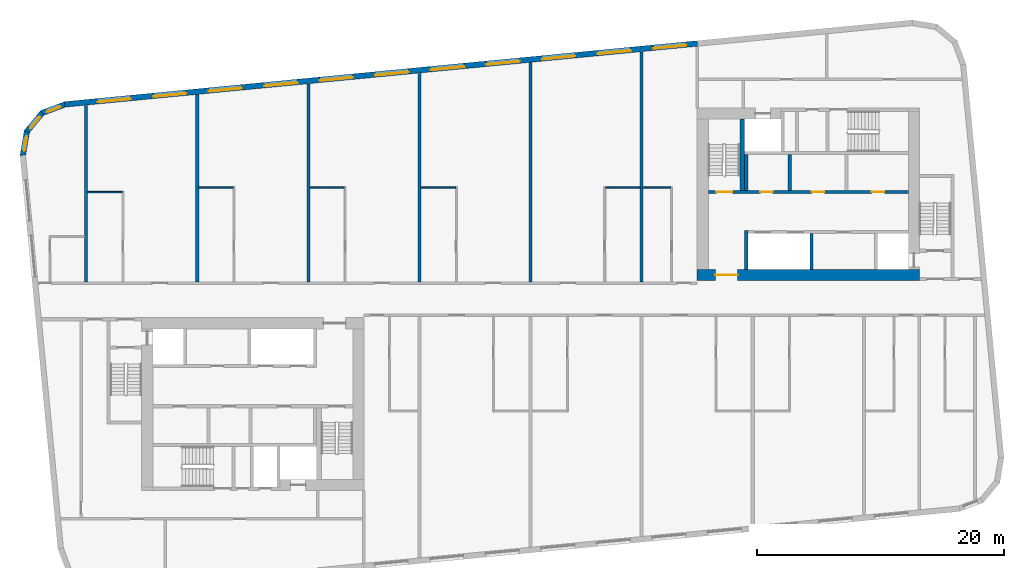
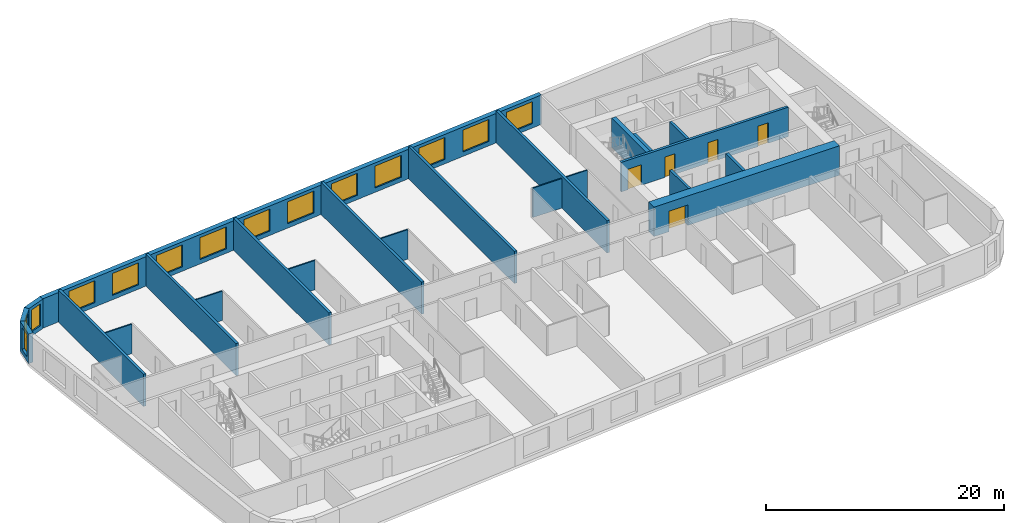
# One storey, part 5 of 11: 23 walls, 14 windows, 5 doors, 19 openings.
"""IFC4 building model written with IfcOpenShell, lengths in metres."""

from ifc_helpers import new_model, si_unit, direction, frame, frame_2d, origin, place, context, subcontext, project, spatial, polyline, rectangle, outline, extrude, material, layer, layer_set, type_object, element, fill, save


model = new_model("IFC4")

# Units and contexts
model_context = context("Model", 3, precision=1e-05, world=origin(), true_north=direction((0.0, 1.0)))
body_context = subcontext(model_context, "Body", "Model", "MODEL_VIEW")
ifc_project = project(units=[si_unit("LENGTHUNIT", "METRE"), si_unit("AREAUNIT", "SQUARE_METRE"), si_unit("VOLUMEUNIT", "CUBIC_METRE"), si_unit("PLANEANGLEUNIT", "RADIAN"), si_unit("MASSUNIT", "GRAM", prefix="KILO")], contexts=[model_context])

# Site, building, storey
site_placement = place(None, origin())
site = spatial("IfcSite", under=ifc_project, at=site_placement, CompositionType="ELEMENT")
building_placement = place(site_placement, origin())
building = spatial("IfcBuilding", under=site, at=building_placement, Name="Kajstack Hotel Tower", CompositionType="ELEMENT")
storey_placement = place(building_placement, frame((0.0, 0.0, 271.800048828125)))
storey = spatial("IfcBuildingStorey", under=building, at=storey_placement, Name="L67", CompositionType="ELEMENT", Elevation=271.800048828125)

# Wall, opening, door
ifc_material_1 = material(Name="Concrete C60/75", Category="concrete")
ifc_layer_1 = layer(ifc_material_1, 0.89990234375)
ifc_layer_set_1 = layer_set([ifc_layer_1], Name="Core wall 900")
wall_type_1 = type_object("IfcWallType", Name="Core wall 900", PredefinedType="SHEAR", material=ifc_layer_set_1)
wall_1_placement = place(storey_placement, frame((13.5, 1.949951171875, 0.0), z_axis=(0.0, 0.0, 1.0), x_axis=(1.0, 0.0, 0.0)))
wall_1 = element("IfcWall", 1, at=wall_1_placement, inside=storey, type_object=wall_type_1, Name="Core wall E RN", PredefinedType="SHEAR", context=body_context, shape_type="SweptSolid", body=[
    extrude(rectangle(XDim=18.0, YDim=0.89990234375, at=frame_2d((9.0, 0.0))), origin(), (0.0, 0.0, 1.0), 3.02001953125),
])
opening_1_placement = place(wall_1_placement, frame((1.47509765625, 0.0, 0.0)))
opening_1 = element("IfcOpeningElement", 2, at=opening_1_placement, cuts=wall_1, Name="Opening 67E05", PredefinedType="OPENING", context=body_context, shape_type="SweptSolid", body=[
    extrude(rectangle(XDim=1.800048828125, YDim=2.10009765625, at=frame_2d((0.89990234375, 1.050048828125))), frame((0.0, 0.4599609375, 0.0), z_axis=(0.0, -1.0, 0.0), x_axis=(1.0, 0.0, 0.0)), (0.0, 0.0, 1.0), 0.919921875),
])
ifc_material_2 = material(Name="Glazed steel frame, fire-rated glass", Category="steel")
door_type_1 = type_object("IfcDoorType", Name="Lobby double door 1800", OperationType="DOUBLE_DOOR_DOUBLE_SWING", PredefinedType="DOOR", material=ifc_material_2)
door_1_placement = place(opening_1_placement, origin())
door_1 = element("IfcDoor", 3, at=door_1_placement, inside=storey, type_object=door_type_1, Name="Door 67E05", OperationType="DOUBLE_DOOR_DOUBLE_SWING", OverallHeight=2.10009765625, OverallWidth=1.800048828125, PredefinedType="DOOR", context=body_context, shape_type="SweptSolid", body=[
    extrude(rectangle(XDim=1.800048828125, YDim=2.10009765625, at=frame_2d((0.89990234375, 1.050048828125))), frame((0.0, 0.02490234375, 0.0), z_axis=(0.0, -1.0, 0.0), x_axis=(1.0, 0.0, 0.0)), (0.0, 0.0, 1.0), 0.050048828125),
])
fill(opening_1, door_1)

# Wall, openings, windows
ifc_material_3 = material(Name="Terracotta-faced brick masonry", Category="masonry")
ifc_layer_2 = layer(ifc_material_3, 0.449951171875)
ifc_layer_set_2 = layer_set([ifc_layer_2], Name="EW-TERRA")
wall_type_2 = type_object("IfcWallType", Name="EW-TERRA", PredefinedType="SOLIDWALL", material=ifc_layer_set_2)
wall_2_placement = place(storey_placement, frame((13.521484375, 20.712890625, 0.0), z_axis=(0.0, 0.0, 1.0), x_axis=(-0.995396277313, -0.095844932638, 0.0)))
wall_2 = element("IfcWall", 4, at=wall_2_placement, inside=storey, type_object=wall_type_2, Name="E-wall-L67-12-01", PredefinedType="SOLIDWALL", context=body_context, shape_type="SweptSolid", body=[
    extrude(rectangle(XDim=51.4951171875, YDim=0.449951171875, at=frame_2d((25.74755859375, 0.0))), origin(), (0.0, 0.0, 1.0), 3.02001953125),
])
opening_2_placement = place(wall_2_placement, frame((0.910400390625, 0.0, 0.449951171875)))
opening_2 = element("IfcOpeningElement", 5, at=opening_2_placement, cuts=wall_2, Name="Opening W1", PredefinedType="OPENING", context=body_context, shape_type="SweptSolid", body=[
    extrude(rectangle(XDim=2.699951171875, YDim=2.25, at=frame_2d((1.35009765625, 1.125))), frame((0.0, 0.23486328125, 0.0), z_axis=(0.0, -1.0, 0.0), x_axis=(1.0, 0.0, 0.0)), (0.0, 0.0, 1.0), 0.469970703125),
])
opening_3_placement = place(wall_2_placement, frame((5.43115234375, 0.0, 0.449951171875)))
opening_3 = element("IfcOpeningElement", 6, at=opening_3_placement, cuts=wall_2, Name="Opening W1", PredefinedType="OPENING", context=body_context, shape_type="SweptSolid", body=[
    extrude(rectangle(XDim=2.699951171875, YDim=2.25, at=frame_2d((1.35009765625, 1.125))), frame((0.0, 0.23486328125, 0.0), z_axis=(0.0, -1.0, 0.0), x_axis=(1.0, 0.0, 0.0)), (0.0, 0.0, 1.0), 0.469970703125),
])
opening_4_placement = place(wall_2_placement, frame((9.951904296875, 0.0, 0.449951171875)))
opening_4 = element("IfcOpeningElement", 7, at=opening_4_placement, cuts=wall_2, Name="Opening W1", PredefinedType="OPENING", context=body_context, shape_type="SweptSolid", body=[
    extrude(rectangle(XDim=2.699951171875, YDim=2.25, at=frame_2d((1.35009765625, 1.125))), frame((0.0, 0.23486328125, 0.0), z_axis=(0.0, -1.0, 0.0), x_axis=(1.0, 0.0, 0.0)), (0.0, 0.0, 1.0), 0.469970703125),
])
opening_5_placement = place(wall_2_placement, frame((14.472900390625, 0.0, 0.449951171875)))
opening_5 = element("IfcOpeningElement", 8, at=opening_5_placement, cuts=wall_2, Name="Opening W1", PredefinedType="OPENING", context=body_context, shape_type="SweptSolid", body=[
    extrude(rectangle(XDim=2.699951171875, YDim=2.25, at=frame_2d((1.35009765625, 1.125))), frame((0.0, 0.23486328125, 0.0), z_axis=(0.0, -1.0, 0.0), x_axis=(1.0, 0.0, 0.0)), (0.0, 0.0, 1.0), 0.469970703125),
])
opening_6_placement = place(wall_2_placement, frame((18.99365234375, 0.0, 0.449951171875)))
opening_6 = element("IfcOpeningElement", 9, at=opening_6_placement, cuts=wall_2, Name="Opening W1", PredefinedType="OPENING", context=body_context, shape_type="SweptSolid", body=[
    extrude(rectangle(XDim=2.699951171875, YDim=2.25, at=frame_2d((1.35009765625, 1.125))), frame((0.0, 0.23486328125, 0.0), z_axis=(0.0, -1.0, 0.0), x_axis=(1.0, 0.0, 0.0)), (0.0, 0.0, 1.0), 0.469970703125),
])
opening_7_placement = place(wall_2_placement, frame((23.514404296875, 0.0, 0.449951171875)))
opening_7 = element("IfcOpeningElement", 10, at=opening_7_placement, cuts=wall_2, Name="Opening W1", PredefinedType="OPENING", context=body_context, shape_type="SweptSolid", body=[
    extrude(rectangle(XDim=2.699951171875, YDim=2.25, at=frame_2d((1.35009765625, 1.125))), frame((0.0, 0.23486328125, 0.0), z_axis=(0.0, -1.0, 0.0), x_axis=(1.0, 0.0, 0.0)), (0.0, 0.0, 1.0), 0.469970703125),
])
opening_8_placement = place(wall_2_placement, frame((28.035400390625, 0.0, 0.449951171875)))
opening_8 = element("IfcOpeningElement", 11, at=opening_8_placement, cuts=wall_2, Name="Opening W1", PredefinedType="OPENING", context=body_context, shape_type="SweptSolid", body=[
    extrude(rectangle(XDim=2.699951171875, YDim=2.25, at=frame_2d((1.35009765625, 1.125))), frame((0.0, 0.23486328125, 0.0), z_axis=(0.0, -1.0, 0.0), x_axis=(1.0, 0.0, 0.0)), (0.0, 0.0, 1.0), 0.469970703125),
])
opening_9_placement = place(wall_2_placement, frame((32.55615234375, 0.0, 0.449951171875)))
opening_9 = element("IfcOpeningElement", 12, at=opening_9_placement, cuts=wall_2, Name="Opening W1", PredefinedType="OPENING", context=body_context, shape_type="SweptSolid", body=[
    extrude(rectangle(XDim=2.699951171875, YDim=2.25, at=frame_2d((1.35009765625, 1.125))), frame((0.0, 0.23486328125, 0.0), z_axis=(0.0, -1.0, 0.0), x_axis=(1.0, 0.0, 0.0)), (0.0, 0.0, 1.0), 0.469970703125),
])
opening_10_placement = place(wall_2_placement, frame((37.076904296875, 0.0, 0.449951171875)))
opening_10 = element("IfcOpeningElement", 13, at=opening_10_placement, cuts=wall_2, Name="Opening W1", PredefinedType="OPENING", context=body_context, shape_type="SweptSolid", body=[
    extrude(rectangle(XDim=2.699951171875, YDim=2.25, at=frame_2d((1.35009765625, 1.125))), frame((0.0, 0.23486328125, 0.0), z_axis=(0.0, -1.0, 0.0), x_axis=(1.0, 0.0, 0.0)), (0.0, 0.0, 1.0), 0.469970703125),
])
opening_11_placement = place(wall_2_placement, frame((41.59765625, 0.0, 0.449951171875)))
opening_11 = element("IfcOpeningElement", 14, at=opening_11_placement, cuts=wall_2, Name="Opening W1", PredefinedType="OPENING", context=body_context, shape_type="SweptSolid", body=[
    extrude(rectangle(XDim=2.699951171875, YDim=2.25, at=frame_2d((1.35009765625, 1.125))), frame((0.0, 0.23486328125, 0.0), z_axis=(0.0, -1.0, 0.0), x_axis=(1.0, 0.0, 0.0)), (0.0, 0.0, 1.0), 0.469970703125),
])
opening_12_placement = place(wall_2_placement, frame((46.118408203125, 0.0, 0.449951171875)))
opening_12 = element("IfcOpeningElement", 15, at=opening_12_placement, cuts=wall_2, Name="Opening W1", PredefinedType="OPENING", context=body_context, shape_type="SweptSolid", body=[
    extrude(rectangle(XDim=2.699951171875, YDim=2.25, at=frame_2d((1.35009765625, 1.125))), frame((0.0, 0.23486328125, 0.0), z_axis=(0.0, -1.0, 0.0), x_axis=(1.0, 0.0, 0.0)), (0.0, 0.0, 1.0), 0.469970703125),
])
ifc_material_4 = material(Name="Timber-aluminium window, triple glazed", Category="wood")
window_type_1 = type_object("IfcWindowType", Name="WG1", PartitioningType="SINGLE_PANEL", PredefinedType="WINDOW", material=ifc_material_4)
window_1_placement = place(opening_2_placement, origin())
window_1 = element("IfcWindow", 16, at=window_1_placement, inside=storey, type_object=window_type_1, Name="Window W1 L67-12", OverallHeight=2.25, OverallWidth=2.699951171875, PartitioningType="SINGLE_PANEL", PredefinedType="WINDOW", context=body_context, shape_type="SweptSolid", body=[
    extrude(rectangle(XDim=2.699951171875, YDim=2.25, at=frame_2d((1.35009765625, 1.125))), frame((0.0, 0.090087890625, 0.0), z_axis=(0.0, -1.0, 0.0), x_axis=(1.0, 0.0, 0.0)), (0.0, 0.0, 1.0), 0.06005859375),
])
fill(opening_2, window_1)
window_2_placement = place(opening_3_placement, origin())
window_2 = element("IfcWindow", 17, at=window_2_placement, inside=storey, type_object=window_type_1, Name="Window W1 L67-12", OverallHeight=2.25, OverallWidth=2.699951171875, PartitioningType="SINGLE_PANEL", PredefinedType="WINDOW", context=body_context, shape_type="SweptSolid", body=[
    extrude(rectangle(XDim=2.699951171875, YDim=2.25, at=frame_2d((1.35009765625, 1.125))), frame((0.0, 0.090087890625, 0.0), z_axis=(0.0, -1.0, 0.0), x_axis=(1.0, 0.0, 0.0)), (0.0, 0.0, 1.0), 0.06005859375),
])
fill(opening_3, window_2)
window_3_placement = place(opening_4_placement, origin())
window_3 = element("IfcWindow", 18, at=window_3_placement, inside=storey, type_object=window_type_1, Name="Window W1 L67-12", OverallHeight=2.25, OverallWidth=2.699951171875, PartitioningType="SINGLE_PANEL", PredefinedType="WINDOW", context=body_context, shape_type="SweptSolid", body=[
    extrude(rectangle(XDim=2.699951171875, YDim=2.25, at=frame_2d((1.35009765625, 1.125))), frame((0.0, 0.090087890625, 0.0), z_axis=(0.0, -1.0, 0.0), x_axis=(1.0, 0.0, 0.0)), (0.0, 0.0, 1.0), 0.06005859375),
])
fill(opening_4, window_3)
window_4_placement = place(opening_5_placement, origin())
window_4 = element("IfcWindow", 19, at=window_4_placement, inside=storey, type_object=window_type_1, Name="Window W1 L67-12", OverallHeight=2.25, OverallWidth=2.699951171875, PartitioningType="SINGLE_PANEL", PredefinedType="WINDOW", context=body_context, shape_type="SweptSolid", body=[
    extrude(rectangle(XDim=2.699951171875, YDim=2.25, at=frame_2d((1.35009765625, 1.125))), frame((0.0, 0.090087890625, 0.0), z_axis=(0.0, -1.0, 0.0), x_axis=(1.0, 0.0, 0.0)), (0.0, 0.0, 1.0), 0.06005859375),
])
fill(opening_5, window_4)
window_5_placement = place(opening_6_placement, origin())
window_5 = element("IfcWindow", 20, at=window_5_placement, inside=storey, type_object=window_type_1, Name="Window W1 L67-12", OverallHeight=2.25, OverallWidth=2.699951171875, PartitioningType="SINGLE_PANEL", PredefinedType="WINDOW", context=body_context, shape_type="SweptSolid", body=[
    extrude(rectangle(XDim=2.699951171875, YDim=2.25, at=frame_2d((1.35009765625, 1.125))), frame((0.0, 0.090087890625, 0.0), z_axis=(0.0, -1.0, 0.0), x_axis=(1.0, 0.0, 0.0)), (0.0, 0.0, 1.0), 0.06005859375),
])
fill(opening_6, window_5)
window_6_placement = place(opening_7_placement, origin())
window_6 = element("IfcWindow", 21, at=window_6_placement, inside=storey, type_object=window_type_1, Name="Window W1 L67-12", OverallHeight=2.25, OverallWidth=2.699951171875, PartitioningType="SINGLE_PANEL", PredefinedType="WINDOW", context=body_context, shape_type="SweptSolid", body=[
    extrude(rectangle(XDim=2.699951171875, YDim=2.25, at=frame_2d((1.35009765625, 1.125))), frame((0.0, 0.090087890625, 0.0), z_axis=(0.0, -1.0, 0.0), x_axis=(1.0, 0.0, 0.0)), (0.0, 0.0, 1.0), 0.06005859375),
])
fill(opening_7, window_6)
window_7_placement = place(opening_8_placement, origin())
window_7 = element("IfcWindow", 22, at=window_7_placement, inside=storey, type_object=window_type_1, Name="Window W1 L67-12", OverallHeight=2.25, OverallWidth=2.699951171875, PartitioningType="SINGLE_PANEL", PredefinedType="WINDOW", context=body_context, shape_type="SweptSolid", body=[
    extrude(rectangle(XDim=2.699951171875, YDim=2.25, at=frame_2d((1.35009765625, 1.125))), frame((0.0, 0.090087890625, 0.0), z_axis=(0.0, -1.0, 0.0), x_axis=(1.0, 0.0, 0.0)), (0.0, 0.0, 1.0), 0.06005859375),
])
fill(opening_8, window_7)
window_8_placement = place(opening_9_placement, origin())
window_8 = element("IfcWindow", 23, at=window_8_placement, inside=storey, type_object=window_type_1, Name="Window W1 L67-12", OverallHeight=2.25, OverallWidth=2.699951171875, PartitioningType="SINGLE_PANEL", PredefinedType="WINDOW", context=body_context, shape_type="SweptSolid", body=[
    extrude(rectangle(XDim=2.699951171875, YDim=2.25, at=frame_2d((1.35009765625, 1.125))), frame((0.0, 0.090087890625, 0.0), z_axis=(0.0, -1.0, 0.0), x_axis=(1.0, 0.0, 0.0)), (0.0, 0.0, 1.0), 0.06005859375),
])
fill(opening_9, window_8)
window_9_placement = place(opening_10_placement, origin())
window_9 = element("IfcWindow", 24, at=window_9_placement, inside=storey, type_object=window_type_1, Name="Window W1 L67-12", OverallHeight=2.25, OverallWidth=2.699951171875, PartitioningType="SINGLE_PANEL", PredefinedType="WINDOW", context=body_context, shape_type="SweptSolid", body=[
    extrude(rectangle(XDim=2.699951171875, YDim=2.25, at=frame_2d((1.35009765625, 1.125))), frame((0.0, 0.090087890625, 0.0), z_axis=(0.0, -1.0, 0.0), x_axis=(1.0, 0.0, 0.0)), (0.0, 0.0, 1.0), 0.06005859375),
])
fill(opening_10, window_9)
window_10_placement = place(opening_11_placement, origin())
window_10 = element("IfcWindow", 25, at=window_10_placement, inside=storey, type_object=window_type_1, Name="Window W1 L67-12", OverallHeight=2.25, OverallWidth=2.699951171875, PartitioningType="SINGLE_PANEL", PredefinedType="WINDOW", context=body_context, shape_type="SweptSolid", body=[
    extrude(rectangle(XDim=2.699951171875, YDim=2.25, at=frame_2d((1.35009765625, 1.125))), frame((0.0, 0.090087890625, 0.0), z_axis=(0.0, -1.0, 0.0), x_axis=(1.0, 0.0, 0.0)), (0.0, 0.0, 1.0), 0.06005859375),
])
fill(opening_11, window_10)
window_11_placement = place(opening_12_placement, origin())
window_11 = element("IfcWindow", 26, at=window_11_placement, inside=storey, type_object=window_type_1, Name="Window W1 L67-12", OverallHeight=2.25, OverallWidth=2.699951171875, PartitioningType="SINGLE_PANEL", PredefinedType="WINDOW", context=body_context, shape_type="SweptSolid", body=[
    extrude(rectangle(XDim=2.699951171875, YDim=2.25, at=frame_2d((1.35009765625, 1.125))), frame((0.0, 0.090087890625, 0.0), z_axis=(0.0, -1.0, 0.0), x_axis=(1.0, 0.0, 0.0)), (0.0, 0.0, 1.0), 0.06005859375),
])
fill(opening_12, window_11)

# Wall, opening, window
wall_3_placement = place(storey_placement, frame((-37.67919921875, 15.79052734375, 0.0), z_axis=(0.0, 0.0, 1.0), x_axis=(-0.936677599948, -0.350192909346, 0.0)))
wall_3 = element("IfcWall", 27, at=wall_3_placement, inside=storey, type_object=wall_type_2, Name="E-wall-L67-13-00", PredefinedType="SOLIDWALL", context=body_context, shape_type="SweptSolid", body=[
    extrude(outline(polyline([(0.000244140625, -0.224853515625), (2.070556640625, -0.224853515625), (1.949951171875, 0.22509765625), (0.12060546875, 0.22509765625), (0.000244140625, -0.224853515625)])), origin(), (0.0, 0.0, 1.0), 3.02001953125),
])
opening_13_placement = place(wall_3_placement, frame((0.435302734375, 0.0, 0.449951171875)))
opening_13 = element("IfcOpeningElement", 28, at=opening_13_placement, cuts=wall_3, Name="Opening W3", PredefinedType="OPENING", context=body_context, shape_type="SweptSolid", body=[
    extrude(rectangle(XDim=1.199951171875, YDim=2.25, at=frame_2d((0.60009765625, 1.125))), frame((0.0, 0.23486328125, 0.0), z_axis=(0.0, -1.0, 0.0), x_axis=(1.0, 0.0, 0.0)), (0.0, 0.0, 1.0), 0.469970703125),
])
window_type_2 = type_object("IfcWindowType", Name="WG3", PartitioningType="SINGLE_PANEL", PredefinedType="WINDOW", material=ifc_material_4)
window_12_placement = place(opening_13_placement, origin())
window_12 = element("IfcWindow", 29, at=window_12_placement, inside=storey, type_object=window_type_2, Name="Window W3 L67-13", OverallHeight=2.25, OverallWidth=1.199951171875, PartitioningType="SINGLE_PANEL", PredefinedType="WINDOW", context=body_context, shape_type="SweptSolid", body=[
    extrude(rectangle(XDim=1.199951171875, YDim=2.25, at=frame_2d((0.60009765625, 1.125))), frame((0.0, 0.090087890625, 0.0), z_axis=(0.0, -1.0, 0.0), x_axis=(1.0, 0.0, 0.0)), (0.0, 0.0, 1.0), 0.06005859375),
])
fill(opening_13, window_12)

wall_4_placement = place(storey_placement, frame((-39.52392578125, 15.133056640625, 0.0), z_axis=(0.0, 0.0, 1.0), x_axis=(-0.636046112757, -0.771651049663, 0.0)))
wall_4 = element("IfcWall", 30, at=wall_4_placement, inside=storey, type_object=wall_type_2, Name="E-wall-L67-14-00", PredefinedType="SOLIDWALL", context=body_context, shape_type="SweptSolid", body=[
    extrude(outline(polyline([(0.0, -0.224853515625), (2.070556640625, -0.224853515625), (1.949951171875, 0.22509765625), (0.12060546875, 0.22509765625), (0.0, -0.224853515625)])), origin(), (0.0, 0.0, 1.0), 3.02001953125),
])
opening_14_placement = place(wall_4_placement, frame((0.435302734375, 0.0, 0.449951171875)))
opening_14 = element("IfcOpeningElement", 31, at=opening_14_placement, cuts=wall_4, Name="Opening W3", PredefinedType="OPENING", context=body_context, shape_type="SweptSolid", body=[
    extrude(rectangle(XDim=1.199951171875, YDim=2.25, at=frame_2d((0.60009765625, 1.125))), frame((0.0, 0.23486328125, 0.0), z_axis=(0.0, -1.0, 0.0), x_axis=(1.0, 0.0, 0.0)), (0.0, 0.0, 1.0), 0.469970703125),
])
window_13_placement = place(opening_14_placement, origin())
window_13 = element("IfcWindow", 32, at=window_13_placement, inside=storey, type_object=window_type_2, Name="Window W3 L67-14", OverallHeight=2.25, OverallWidth=1.199951171875, PartitioningType="SINGLE_PANEL", PredefinedType="WINDOW", context=body_context, shape_type="SweptSolid", body=[
    extrude(rectangle(XDim=1.199951171875, YDim=2.25, at=frame_2d((0.60009765625, 1.125))), frame((0.0, 0.090087890625, 0.0), z_axis=(0.0, -1.0, 0.0), x_axis=(1.0, 0.0, 0.0)), (0.0, 0.0, 1.0), 0.06005859375),
])
fill(opening_14, window_13)

wall_5_placement = place(storey_placement, frame((-40.79248046875, 13.641357421875, 0.0), z_axis=(0.0, 0.0, 1.0), x_axis=(-0.165068144653, -0.986282164302, 0.0)))
wall_5 = element("IfcWall", 33, at=wall_5_placement, inside=storey, type_object=wall_type_2, Name="E-wall-L67-15-00", PredefinedType="SOLIDWALL", context=body_context, shape_type="SweptSolid", body=[
    extrude(outline(polyline([(0.0, -0.22509765625), (2.070556640625, -0.22509765625), (1.949951171875, 0.224853515625), (0.12060546875, 0.224853515625), (0.0, -0.22509765625)])), origin(), (0.0, 0.0, 1.0), 3.02001953125),
])
opening_15_placement = place(wall_5_placement, frame((0.435302734375, 0.0, 0.449951171875)))
opening_15 = element("IfcOpeningElement", 34, at=opening_15_placement, cuts=wall_5, Name="Opening W3", PredefinedType="OPENING", context=body_context, shape_type="SweptSolid", body=[
    extrude(rectangle(XDim=1.199951171875, YDim=2.25, at=frame_2d((0.60009765625, 1.125))), frame((0.0, 0.23486328125, 0.0), z_axis=(0.0, -1.0, 0.0), x_axis=(1.0, 0.0, 0.0)), (0.0, 0.0, 1.0), 0.469970703125),
])
window_14_placement = place(opening_15_placement, origin())
window_14 = element("IfcWindow", 35, at=window_14_placement, inside=storey, type_object=window_type_2, Name="Window W3 L67-15", OverallHeight=2.25, OverallWidth=1.199951171875, PartitioningType="SINGLE_PANEL", PredefinedType="WINDOW", context=body_context, shape_type="SweptSolid", body=[
    extrude(rectangle(XDim=1.199951171875, YDim=2.25, at=frame_2d((0.60009765625, 1.125))), frame((0.0, 0.090087890625, 0.0), z_axis=(0.0, -1.0, 0.0), x_axis=(1.0, 0.0, 0.0)), (0.0, 0.0, 1.0), 0.06005859375),
])
fill(opening_15, window_14)

# Walls
ifc_material_5 = material(Name="Gypsum board and tiled backer on steel studs", Category="steel")
ifc_layer_3 = layer(ifc_material_5, 0.125)
ifc_layer_set_3 = layer_set([ifc_layer_3], Name="En-suite wall 125")
wall_type_3 = type_object("IfcWallType", Name="En-suite wall 125", PredefinedType="PARTITIONING", material=ifc_layer_set_3)
for number, where, z_axis, x_axis, name in (
    (36, (-35.875, 8.66796875, 0.0), (0.0, 0.0, 1.0), (1.0, 0.0, 0.0), "G-wall-L67-007"),
    (37, (-26.875, 9.06201171875, 0.0), (0.0, 0.0, 1.0), (1.0, 0.0, 0.0), "G-wall-L67-009"),
    (38, (-17.875, 9.06201171875, 0.0), (0.0, 0.0, 1.0), (1.0, 0.0, 0.0), "G-wall-L67-011"),
    (39, (-8.875, 9.06201171875, 0.0), (0.0, 0.0, 1.0), (1.0, 0.0, 0.0), "G-wall-L67-013"),
    (40, (6.074951171875, 9.06201171875, 0.0), (0.0, 0.0, 1.0), (1.0, 0.0, 0.0), "G-wall-L67-015"),
):
    element("IfcWall", number, at=place(storey_placement, frame(where, z_axis=z_axis, x_axis=x_axis)), inside=storey, type_object=wall_type_3, Name=name, PredefinedType="PARTITIONING", context=body_context, shape_type="SweptSolid", body=[
        extrude(rectangle(XDim=2.800048828125, YDim=0.125, at=frame_2d((1.39990234375, 0.0))), origin(), (0.0, 0.0, 1.0), 3.02001953125),
    ])
wall_6_placement = place(storey_placement, frame((9.125, 9.06201171875, 0.0), z_axis=(0.0, 0.0, 1.0), x_axis=(1.0, 0.0, 0.0)))
element("IfcWall", 41, at=wall_6_placement, inside=storey, type_object=wall_type_3, Name="G-wall-L67-017", PredefinedType="PARTITIONING", context=body_context, shape_type="SweptSolid", body=[
    extrude(rectangle(XDim=2.25, YDim=0.125, at=frame_2d((1.125, 0.0))), origin(), (0.0, 0.0, 1.0), 3.02001953125),
])
ifc_material_6 = material(Name="Concrete C50/60", Category="concrete")
ifc_layer_4 = layer(ifc_material_6, 0.300048828125)
ifc_layer_set_4 = layer_set([ifc_layer_4], Name="Hoistway divider wall 300")
wall_type_4 = type_object("IfcWallType", Name="Hoistway divider wall 300", PredefinedType="SHEAR", material=ifc_layer_set_4)
wall_7_placement = place(storey_placement, frame((22.77490234375, 2.39990234375, 0.0), z_axis=(0.0, 0.0, 1.0), x_axis=(0.0, 1.0, 0.0)))
element("IfcWall", 42, at=wall_7_placement, inside=storey, type_object=wall_type_4, Name="Core wall E AP2", PredefinedType="SHEAR", context=body_context, shape_type="SweptSolid", body=[
    extrude(rectangle(XDim=2.900146484375, YDim=0.25, at=frame_2d((1.4501953125, 0.0))), origin(), (0.0, 0.0, 1.0), 3.02001953125),
])
ifc_material_7 = material(Name="Concrete C40/50", Category="concrete")
ifc_layer_5 = layer(ifc_material_7, 0.25)
ifc_layer_set_5 = layer_set([ifc_layer_5], Name="RC cross wall 250 C40/50")
wall_type_5 = type_object("IfcWallType", Name="RC cross wall 250 C40/50", PredefinedType="SHEAR", material=ifc_layer_set_5)
wall_8_placement = place(storey_placement, frame((-36.0, 1.39990234375, 0.0), z_axis=(0.0, 0.0, 1.0), x_axis=(0.0, 1.0, 0.0)))
element("IfcWall", 43, at=wall_8_placement, inside=storey, type_object=wall_type_5, Name="S-wall-L67-01", PredefinedType="SHEAR", context=body_context, shape_type="SweptSolid", body=[
    extrude(rectangle(XDim=14.29638671875, YDim=0.25, at=frame_2d((7.148193359375, 0.0))), origin(), (0.0, 0.0, 1.0), 3.300048828125),
])
wall_9_placement = place(storey_placement, frame((-27.0, 1.39990234375, 0.0), z_axis=(0.0, 0.0, 1.0), x_axis=(0.0, 1.0, 0.0)))
element("IfcWall", 44, at=wall_9_placement, inside=storey, type_object=wall_type_5, Name="S-wall-L67-02", PredefinedType="SHEAR", context=body_context, shape_type="SweptSolid", body=[
    extrude(rectangle(XDim=15.1630859375, YDim=0.25, at=frame_2d((7.58154296875, 0.0))), origin(), (0.0, 0.0, 1.0), 3.300048828125),
])
wall_10_placement = place(storey_placement, frame((-18.0, 1.39990234375, 0.0), z_axis=(0.0, 0.0, 1.0), x_axis=(0.0, 1.0, 0.0)))
element("IfcWall", 45, at=wall_10_placement, inside=storey, type_object=wall_type_5, Name="S-wall-L67-03", PredefinedType="SHEAR", context=body_context, shape_type="SweptSolid", body=[
    extrude(rectangle(XDim=16.029541015625, YDim=0.25, at=frame_2d((8.0146484375, 0.0))), origin(), (0.0, 0.0, 1.0), 3.300048828125),
])
wall_11_placement = place(storey_placement, frame((-9.0, 1.39990234375, 0.0), z_axis=(0.0, 0.0, 1.0), x_axis=(0.0, 1.0, 0.0)))
element("IfcWall", 46, at=wall_11_placement, inside=storey, type_object=wall_type_5, Name="S-wall-L67-05", PredefinedType="SHEAR", context=body_context, shape_type="SweptSolid", body=[
    extrude(rectangle(XDim=16.896240234375, YDim=0.25, at=frame_2d((8.4482421875, 0.0))), origin(), (0.0, 0.0, 1.0), 3.300048828125),
])
wall_12_placement = place(storey_placement, frame((0.0, 1.39990234375, 0.0), z_axis=(0.0, 0.0, 1.0), x_axis=(0.0, 1.0, 0.0)))
element("IfcWall", 47, at=wall_12_placement, inside=storey, type_object=wall_type_5, Name="S-wall-L67-07", PredefinedType="SHEAR", context=body_context, shape_type="SweptSolid", body=[
    extrude(rectangle(XDim=17.7626953125, YDim=0.25, at=frame_2d((8.88134765625, 0.0))), origin(), (0.0, 0.0, 1.0), 3.300048828125),
])
wall_13_placement = place(storey_placement, frame((9.0, 1.39990234375, 0.0), z_axis=(0.0, 0.0, 1.0), x_axis=(0.0, 1.0, 0.0)))
element("IfcWall", 48, at=wall_13_placement, inside=storey, type_object=wall_type_5, Name="S-wall-L67-09", PredefinedType="SHEAR", context=body_context, shape_type="SweptSolid", body=[
    extrude(rectangle(XDim=18.62939453125, YDim=0.25, at=frame_2d((9.314697265625, 0.0))), origin(), (0.0, 0.0, 1.0), 3.300048828125),
])
ifc_material_8 = material(Name="Concrete block masonry", Category="masonry")
ifc_layer_6 = layer(ifc_material_8, 0.25)
ifc_layer_set_6 = layer_set([ifc_layer_6], Name="Riser partition 250")
wall_type_6 = type_object("IfcWallType", Name="Riser partition 250", PredefinedType="PARTITIONING", material=ifc_layer_set_6)
wall_14_placement = place(storey_placement, frame((21.0, 8.800048828125, 0.0), z_axis=(0.0, 0.0, 1.0), x_axis=(0.0, 1.0, 0.0)))
element("IfcWall", 49, at=wall_14_placement, inside=storey, type_object=wall_type_6, Name="Partition E BF1", PredefinedType="PARTITIONING", context=body_context, shape_type="SweptSolid", body=[
    extrude(rectangle(XDim=2.89990234375, YDim=0.25, at=frame_2d((1.449951171875, 0.0))), origin(), (0.0, 0.0, 1.0), 3.02001953125),
])
ifc_layer_7 = layer(ifc_material_6, 0.25)
ifc_layer_set_7 = layer_set([ifc_layer_7], Name="Shaft wall 250")
wall_type_7 = type_object("IfcWallType", Name="Shaft wall 250", PredefinedType="SHEAR", material=ifc_layer_set_7)
wall_15_placement = place(storey_placement, frame((17.47509765625, 2.39990234375, 0.0), z_axis=(0.0, 0.0, 1.0), x_axis=(0.0, 1.0, 0.0)))
element("IfcWall", 50, at=wall_15_placement, inside=storey, type_object=wall_type_7, Name="Core wall E AE", PredefinedType="SHEAR", context=body_context, shape_type="SweptSolid", body=[
    extrude(rectangle(XDim=3.150146484375, YDim=0.25, at=frame_2d((1.5751953125, 0.0))), origin(), (0.0, 0.0, 1.0), 3.02001953125),
])

# Wall, openings, doors
wall_16_placement = place(storey_placement, frame((14.39990234375, 8.675048828125, 0.0), z_axis=(0.0, 0.0, 1.0), x_axis=(1.0, 0.0, 0.0)))
wall_16 = element("IfcWall", 51, at=wall_16_placement, inside=storey, type_object=wall_type_7, Name="Core wall E FB", PredefinedType="SHEAR", context=body_context, shape_type="SweptSolid", body=[
    extrude(rectangle(XDim=16.2001953125, YDim=0.25, at=frame_2d((8.10009765625, 0.0))), origin(), (0.0, 0.0, 1.0), 3.02001953125),
])
opening_16_placement = place(wall_16_placement, frame((0.64990234375, 0.0, 0.0)))
opening_16 = element("IfcOpeningElement", 52, at=opening_16_placement, cuts=wall_16, Name="Opening 67E09", PredefinedType="OPENING", context=body_context, shape_type="SweptSolid", body=[
    extrude(rectangle(XDim=1.300048828125, YDim=2.10009765625, at=frame_2d((0.64990234375, 1.050048828125))), frame((0.0, 0.135009765625, 0.0), z_axis=(0.0, -1.0, 0.0), x_axis=(1.0, 0.0, 0.0)), (0.0, 0.0, 1.0), 0.27001953125),
])
opening_17_placement = place(wall_16_placement, frame((13.262451171875, 0.0, 0.0)))
opening_17 = element("IfcOpeningElement", 53, at=opening_17_placement, cuts=wall_16, Name="Opening 67E12", PredefinedType="OPENING", context=body_context, shape_type="SweptSolid", body=[
    extrude(rectangle(XDim=1.0, YDim=2.10009765625, at=frame_2d((0.5, 1.050048828125))), frame((0.0, 0.135009765625, 0.0), z_axis=(0.0, -1.0, 0.0), x_axis=(1.0, 0.0, 0.0)), (0.0, 0.0, 1.0), 0.27001953125),
])
opening_18_placement = place(wall_16_placement, frame((8.39990234375, 0.0, 0.0)))
opening_18 = element("IfcOpeningElement", 54, at=opening_18_placement, cuts=wall_16, Name="Opening 67E13", PredefinedType="OPENING", context=body_context, shape_type="SweptSolid", body=[
    extrude(rectangle(XDim=1.0, YDim=2.10009765625, at=frame_2d((0.5, 1.050048828125))), frame((0.0, 0.135009765625, 0.0), z_axis=(0.0, -1.0, 0.0), x_axis=(1.0, 0.0, 0.0)), (0.0, 0.0, 1.0), 0.27001953125),
])
opening_19_placement = place(wall_16_placement, frame((4.21240234375, 0.0, 0.0)))
opening_19 = element("IfcOpeningElement", 55, at=opening_19_placement, cuts=wall_16, Name="Opening 67E14", PredefinedType="OPENING", context=body_context, shape_type="SweptSolid", body=[
    extrude(rectangle(XDim=1.0, YDim=2.10009765625, at=frame_2d((0.5, 1.050048828125))), frame((0.0, 0.135009765625, 0.0), z_axis=(0.0, -1.0, 0.0), x_axis=(1.0, 0.0, 0.0)), (0.0, 0.0, 1.0), 0.27001953125),
])
ifc_material_9 = material(Name="Timber leaf, fire-rated", Category="wood")
door_type_2 = type_object("IfcDoorType", Name="Service room door 1000", OperationType="SINGLE_SWING_LEFT", PredefinedType="DOOR", material=ifc_material_9)
door_2_placement = place(opening_17_placement, origin())
door_2 = element("IfcDoor", 56, at=door_2_placement, inside=storey, type_object=door_type_2, Name="Door 67E12", OperationType="SINGLE_SWING_LEFT", OverallHeight=2.10009765625, OverallWidth=1.0, PredefinedType="DOOR", context=body_context, shape_type="SweptSolid", body=[
    extrude(rectangle(XDim=1.0, YDim=2.10009765625, at=frame_2d((0.5, 1.050048828125))), frame((0.0, 0.02490234375, 0.0), z_axis=(0.0, -1.0, 0.0), x_axis=(1.0, 0.0, 0.0)), (0.0, 0.0, 1.0), 0.050048828125),
])
fill(opening_17, door_2)
door_3_placement = place(opening_18_placement, origin())
door_3 = element("IfcDoor", 57, at=door_3_placement, inside=storey, type_object=door_type_2, Name="Door 67E13", OperationType="SINGLE_SWING_LEFT", OverallHeight=2.10009765625, OverallWidth=1.0, PredefinedType="DOOR", context=body_context, shape_type="SweptSolid", body=[
    extrude(rectangle(XDim=1.0, YDim=2.10009765625, at=frame_2d((0.5, 1.050048828125))), frame((0.0, 0.02490234375, 0.0), z_axis=(0.0, -1.0, 0.0), x_axis=(1.0, 0.0, 0.0)), (0.0, 0.0, 1.0), 0.050048828125),
])
fill(opening_18, door_3)
door_4_placement = place(opening_19_placement, origin())
door_4 = element("IfcDoor", 58, at=door_4_placement, inside=storey, type_object=door_type_2, Name="Door 67E14", OperationType="SINGLE_SWING_LEFT", OverallHeight=2.10009765625, OverallWidth=1.0, PredefinedType="DOOR", context=body_context, shape_type="SweptSolid", body=[
    extrude(rectangle(XDim=1.0, YDim=2.10009765625, at=frame_2d((0.5, 1.050048828125))), frame((0.0, 0.02490234375, 0.0), z_axis=(0.0, -1.0, 0.0), x_axis=(1.0, 0.0, 0.0)), (0.0, 0.0, 1.0), 0.050048828125),
])
fill(opening_19, door_4)
ifc_material_10 = material(Name="Steel leaf, fire-rated", Category="steel")
door_type_3 = type_object("IfcDoorType", Name="Stair door 1300", OperationType="SINGLE_SWING_LEFT", PredefinedType="DOOR", material=ifc_material_10)
door_5_placement = place(opening_16_placement, origin())
door_5 = element("IfcDoor", 59, at=door_5_placement, inside=storey, type_object=door_type_3, Name="Door 67E09", OperationType="SINGLE_SWING_LEFT", OverallHeight=2.10009765625, OverallWidth=1.300048828125, PredefinedType="DOOR", context=body_context, shape_type="SweptSolid", body=[
    extrude(rectangle(XDim=1.300048828125, YDim=2.10009765625, at=frame_2d((0.64990234375, 1.050048828125))), frame((0.0, 0.02490234375, 0.0), z_axis=(0.0, -1.0, 0.0), x_axis=(1.0, 0.0, 0.0)), (0.0, 0.0, 1.0), 0.050048828125),
])
fill(opening_16, door_5)

# Walls
wall_17_placement = place(storey_placement, frame((17.47509765625, 8.800048828125, 0.0), z_axis=(0.0, 0.0, 1.0), x_axis=(0.0, 1.0, 0.0)))
element("IfcWall", 60, at=wall_17_placement, inside=storey, type_object=wall_type_7, Name="Core wall E BE", PredefinedType="SHEAR", context=body_context, shape_type="SweptSolid", body=[
    extrude(rectangle(XDim=2.89990234375, YDim=0.25, at=frame_2d((1.449951171875, 0.0))), origin(), (0.0, 0.0, 1.0), 3.02001953125),
])
ifc_layer_8 = layer(ifc_material_6, 0.39990234375)
ifc_layer_set_8 = layer_set([ifc_layer_8], Name="Stair wall 400")
wall_type_8 = type_object("IfcWallType", Name="Stair wall 400", PredefinedType="SHEAR", material=ifc_layer_set_8)
wall_18_placement = place(storey_placement, frame((17.14990234375, 8.800048828125, 0.0), z_axis=(0.0, 0.0, 1.0), x_axis=(0.0, 1.0, 0.0)))
element("IfcWall", 61, at=wall_18_placement, inside=storey, type_object=wall_type_8, Name="Core wall E WW2", PredefinedType="SHEAR", context=body_context, shape_type="SweptSolid", body=[
    extrude(rectangle(XDim=5.800048828125, YDim=0.39990234375, at=frame_2d((2.89990234375, 0.0))), origin(), (0.0, 0.0, 1.0), 3.02001953125),
])

save(model, "model.ifc")
